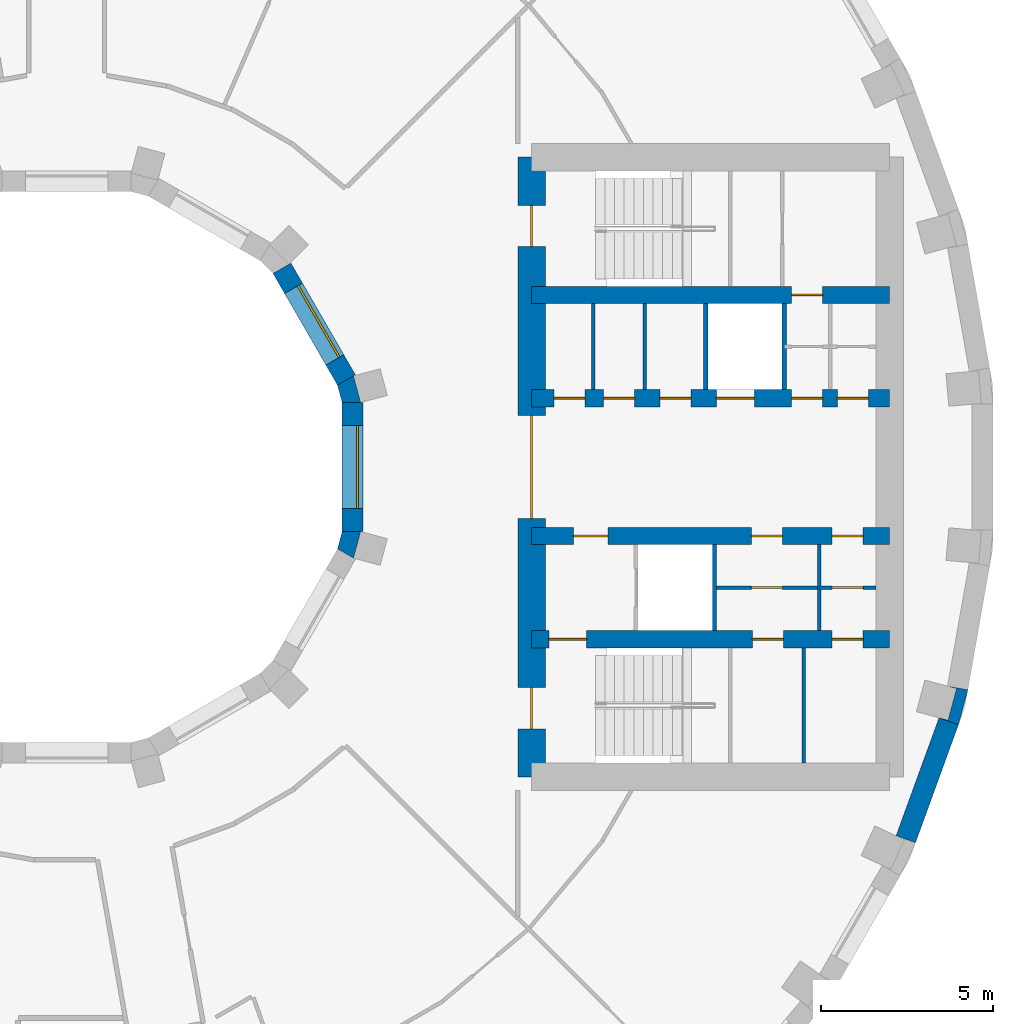
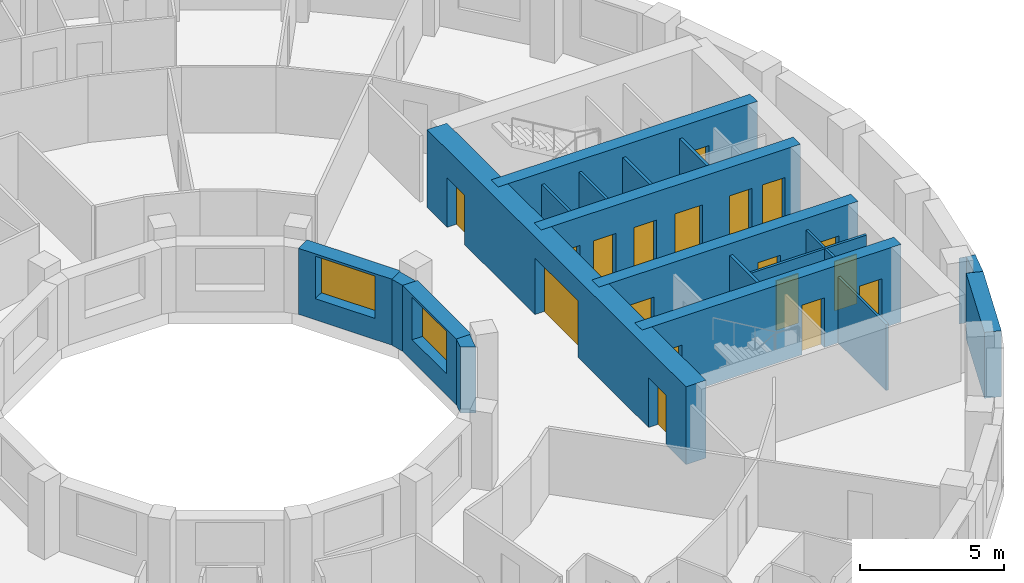
# One storey, part 9 of 14: 20 walls, 18 doors, 2 windows, 20 openings.
"""IFC4 building model written with IfcOpenShell, lengths in metres."""

from ifc_helpers import new_model, si_unit, direction, frame, frame_2d, origin, place, context, subcontext, project, spatial, polyline, rectangle, outline, extrude, material, layer, layer_set, type_object, element, fill, save


model = new_model("IFC4")

# Units and contexts
model_context = context("Model", 3, precision=1e-05, world=origin(), true_north=direction((0.0, 1.0)))
body_context = subcontext(model_context, "Body", "Model", "MODEL_VIEW")
ifc_project = project(units=[si_unit("LENGTHUNIT", "METRE"), si_unit("AREAUNIT", "SQUARE_METRE"), si_unit("VOLUMEUNIT", "CUBIC_METRE"), si_unit("PLANEANGLEUNIT", "RADIAN"), si_unit("MASSUNIT", "GRAM", prefix="KILO")], contexts=[model_context])

# Site, building, storey
site_placement = place(None, origin())
site = spatial("IfcSite", under=ifc_project, at=site_placement, CompositionType="ELEMENT")
building_placement = place(site_placement, origin())
building = spatial("IfcBuilding", under=site, at=building_placement, Name="Saqina Gate Tower", CompositionType="ELEMENT")
storey_placement = place(building_placement, frame((0.0, 0.0, 105.10009765625)))
storey = spatial("IfcBuildingStorey", under=building, at=storey_placement, Name="L29", CompositionType="ELEMENT", Elevation=105.10009765625)

# Walls
ifc_material_1 = material(Name="Brick masonry (buff)", Category="masonry")
wall_type_1 = type_object("IfcWallType", Name="BRICK PIER COPING BUFF", PredefinedType="SOLIDWALL", material=ifc_material_1)
wall_1_placement = place(storey_placement, origin())
element("IfcWall", 1, at=wall_1_placement, inside=storey, type_object=wall_type_1, Name="Pier cap L29 column 35", PredefinedType="SOLIDWALL", context=body_context, shape_type="SweptSolid", body=[
    extrude(outline(polyline([(25.89892578125, -7.485595703125), (26.171875, -6.466796875), (25.5810546875, -6.36279296875), (25.8408203125, -6.43212890625), (25.5947265625, -7.349853515625), (25.335205078125, -7.2802734375), (25.89892578125, -7.485595703125)])), origin(), (0.0, 0.0, 1.0), 2.7998046875),
])
ifc_material_2 = material(Name="Gypsum board on steel studs", Category="steel")
ifc_layer_1 = layer(ifc_material_2, 0.10009765625)
ifc_layer_set_1 = layer_set([ifc_layer_1], Name="CORE PARTITION")
wall_type_2 = type_object("IfcWallType", Name="CORE PARTITION", PredefinedType="PARTITIONING", material=ifc_layer_set_1)
for number, where, z_axis, x_axis, name in (
    (2, (15.298095703125, 2.25, 0.0), (0.0, 0.0, 1.0), (0.0, 1.0, 0.0), "L29-CP-E01"),
    (3, (16.789306640625, 2.25, 0.0), (0.0, 0.0, 1.0), (0.0, 1.0, 0.0), "L29-CP-E02"),
    (4, (21.8583984375, -4.75, 0.0), (0.0, 0.0, 1.0), (0.0, 1.0, 0.0), "L29-CP-E08"),
):
    element("IfcWall", number, at=place(storey_placement, frame(where, z_axis=z_axis, x_axis=x_axis)), inside=storey, type_object=wall_type_2, Name=name, PredefinedType="PARTITIONING", context=body_context, shape_type="SweptSolid", body=[
        extrude(rectangle(XDim=2.5, YDim=0.10009765625, at=frame_2d((1.25, 0.0))), origin(), (0.0, 0.0, 1.0), 2.7998046875),
    ])

# Wall, opening, door
wall_2_placement = place(storey_placement, frame((18.81005859375, -3.5, 0.0), z_axis=(0.0, 0.0, 1.0), x_axis=(1.0, 0.0, 0.0)))
wall_2 = element("IfcWall", 5, at=wall_2_placement, inside=storey, type_object=wall_type_2, Name="L29-CP-E11", PredefinedType="PARTITIONING", context=body_context, shape_type="SweptSolid", body=[
    extrude(rectangle(XDim=3.04833984375, YDim=0.10009765625, at=frame_2d((1.524169921875, 0.0))), origin(), (0.0, 0.0, 1.0), 2.7998046875),
])
opening_1_placement = place(wall_2_placement, frame((1.07421875, 0.0, 0.0)))
opening_1 = element("IfcOpeningElement", 6, at=opening_1_placement, cuts=wall_2, Name="Opening G08-D103", PredefinedType="OPENING", context=body_context, shape_type="SweptSolid", body=[
    extrude(rectangle(XDim=0.89990234375, YDim=2.10009765625, at=frame_2d((0.449951171875, 1.050048828125))), frame((0.0, 0.06201171875, 0.0), z_axis=(0.0, -1.0, 0.0), x_axis=(1.0, 0.0, 0.0)), (0.0, 0.0, 1.0), 0.1240234375),
])
ifc_material_3 = material(Name="Steel-framed fire door leaf, EI 60", Category="steel")
door_type_1 = type_object("IfcDoorType", Name="SERVICE ROOM DOOR 900", OperationType="SINGLE_SWING_LEFT", PredefinedType="DOOR", material=ifc_material_3)
door_1_placement = place(opening_1_placement, frame((0.89990234375, 0.0, 0.0), z_axis=(0.0, 0.0, 1.0), x_axis=(-1.0, 0.0, 0.0)))
door_1 = element("IfcDoor", 7, at=door_1_placement, inside=storey, type_object=door_type_1, Name="L29-CD-E14", OperationType="SINGLE_SWING_RIGHT", OverallHeight=2.10009765625, OverallWidth=0.89990234375, PredefinedType="DOOR", context=body_context, shape_type="SweptSolid", body=[
    extrude(rectangle(XDim=0.89990234375, YDim=2.10009765625, at=frame_2d((0.449951171875, 1.050048828125))), frame((0.0, 0.02490234375, 0.0), z_axis=(0.0, -1.0, 0.0), x_axis=(1.0, 0.0, 0.0)), (0.0, 0.0, 1.0), 0.050048828125),
])
fill(opening_1, door_1)

wall_3_placement = place(storey_placement, frame((21.8583984375, -3.5, 0.0), z_axis=(0.0, 0.0, 1.0), x_axis=(1.0, 0.0, 0.0)))
wall_3 = element("IfcWall", 8, at=wall_3_placement, inside=storey, type_object=wall_type_2, Name="L29-CP-E12", PredefinedType="PARTITIONING", context=body_context, shape_type="SweptSolid", body=[
    extrude(rectangle(XDim=1.6416015625, YDim=0.10009765625, at=frame_2d((0.82080078125, 0.0))), origin(), (0.0, 0.0, 1.0), 2.7998046875),
])
opening_2_placement = place(wall_3_placement, frame((0.370849609375, 0.0, 0.0)))
opening_2 = element("IfcOpeningElement", 9, at=opening_2_placement, cuts=wall_3, Name="Opening G08-D102", PredefinedType="OPENING", context=body_context, shape_type="SweptSolid", body=[
    extrude(rectangle(XDim=0.89990234375, YDim=2.10009765625, at=frame_2d((0.449951171875, 1.050048828125))), frame((0.0, 0.06201171875, 0.0), z_axis=(0.0, -1.0, 0.0), x_axis=(1.0, 0.0, 0.0)), (0.0, 0.0, 1.0), 0.1240234375),
])
door_2_placement = place(opening_2_placement, frame((0.89990234375, 0.0, 0.0), z_axis=(0.0, 0.0, 1.0), x_axis=(-1.0, 0.0, 0.0)))
door_2 = element("IfcDoor", 10, at=door_2_placement, inside=storey, type_object=door_type_1, Name="L29-CD-E13", OperationType="SINGLE_SWING_LEFT", OverallHeight=2.10009765625, OverallWidth=0.89990234375, PredefinedType="DOOR", context=body_context, shape_type="SweptSolid", body=[
    extrude(rectangle(XDim=0.89990234375, YDim=2.10009765625, at=frame_2d((0.449951171875, 1.050048828125))), frame((0.0, 0.02490234375, 0.0), z_axis=(0.0, -1.0, 0.0), x_axis=(1.0, 0.0, 0.0)), (0.0, 0.0, 1.0), 0.050048828125),
])
fill(opening_2, door_2)

# Walls
wall_4_placement = place(storey_placement, frame((21.409912109375, -8.60009765625, 0.0), z_axis=(0.0, 0.0, 1.0), x_axis=(0.0, 1.0, 0.0)))
element("IfcWall", 11, at=wall_4_placement, inside=storey, type_object=wall_type_2, Name="L29-CP-E16", PredefinedType="PARTITIONING", context=body_context, shape_type="SweptSolid", body=[
    extrude(rectangle(XDim=3.35009765625, YDim=0.10009765625, at=frame_2d((1.675048828125, 0.0))), origin(), (0.0, 0.0, 1.0), 2.7998046875),
])
ifc_material_4 = material(Name="Glazed ceramic tile", Category="ceramic")
ifc_layer_2 = layer(ifc_material_4, 0.60009765625)
ifc_layer_set_2 = layer_set([ifc_layer_2], Name="FW-TILE")
wall_type_3 = type_object("IfcWallType", Name="FW-TILE", PredefinedType="SOLIDWALL", material=ifc_layer_set_2)
wall_5_placement = place(storey_placement, frame((24.369384765625, -10.810791015625, 0.0), z_axis=(0.0, 0.0, 1.0), x_axis=(0.341990236633, 0.939703505393, 0.0)))
element("IfcWall", 12, at=wall_5_placement, inside=storey, type_object=wall_type_3, Name="Facade wall L29 facet 34", PredefinedType="SOLIDWALL", context=body_context, shape_type="SweptSolid", body=[
    extrude(rectangle(XDim=3.64794921875, YDim=0.60009765625, at=frame_2d((1.823974609375, 0.0))), origin(), (0.0, 0.0, 1.0), 2.7998046875),
])

# Wall, opening, window
ifc_material_5 = material(Name="Glazed ceramic tile", Category="ceramic")
ifc_layer_3 = layer(ifc_material_5, 0.60009765625)
ifc_layer_set_3 = layer_set([ifc_layer_3], Name="IW-TILE")
wall_type_4 = type_object("IfcWallType", Name="IW-TILE", PredefinedType="SOLIDWALL", material=ifc_layer_set_3)
wall_6_placement = place(storey_placement, frame((8.124755859375, 2.52734375, 0.0), z_axis=(0.0, 0.0, 1.0), x_axis=(-0.499964958637, 0.86604563398, 0.0)))
wall_6 = element("IfcWall", 13, at=wall_6_placement, inside=storey, type_object=wall_type_4, Name="Well wall L29 facet 1", PredefinedType="SOLIDWALL", context=body_context, shape_type="SweptSolid", body=[
    extrude(rectangle(XDim=3.747314453125, YDim=0.60009765625, at=frame_2d((1.87353515625, 0.0))), origin(), (0.0, 0.0, 1.0), 2.7998046875),
])
opening_3_placement = place(wall_6_placement, frame((0.673583984375, 0.0, 0.89990234375)))
opening_3 = element("IfcOpeningElement", 14, at=opening_3_placement, cuts=wall_6, Name="Opening G08-W23", PredefinedType="OPENING", context=body_context, shape_type="SweptSolid", body=[
    extrude(rectangle(XDim=2.39990234375, YDim=1.800048828125, at=frame_2d((1.199951171875, 0.89990234375))), frame((0.0, 0.31201171875, 0.0), z_axis=(0.0, -1.0, 0.0), x_axis=(1.0, 0.0, 0.0)), (0.0, 0.0, 1.0), 0.6240234375),
])
ifc_material_6 = material(Name="Aluminium glazing", Category="aluminium")
window_type = type_object("IfcWindowType", Name="WN-W", PartitioningType="SINGLE_PANEL", PredefinedType="WINDOW", material=ifc_material_6)
window_1_placement = place(opening_3_placement, origin())
window_1 = element("IfcWindow", 15, at=window_1_placement, inside=storey, type_object=window_type, Name="Well window L29 facet 1", OverallHeight=1.800048828125, OverallWidth=2.39990234375, PartitioningType="SINGLE_PANEL", PredefinedType="WINDOW", context=body_context, shape_type="SweptSolid", body=[
    extrude(rectangle(XDim=2.39990234375, YDim=1.800048828125, at=frame_2d((1.199951171875, 0.89990234375))), frame((0.0, -0.119873046875, 0.0), z_axis=(0.0, -1.0, 0.0), x_axis=(1.0, 0.0, 0.0)), (0.0, 0.0, 1.0), 0.06005859375),
])
fill(opening_3, window_1)

wall_7_placement = place(storey_placement, frame((8.300048828125, -1.873779296875, 0.0), z_axis=(0.0, 0.0, 1.0), x_axis=(0.0, 1.0, 0.0)))
wall_7 = element("IfcWall", 16, at=wall_7_placement, inside=storey, type_object=wall_type_4, Name="Well wall L29 facet 12", PredefinedType="SOLIDWALL", context=body_context, shape_type="SweptSolid", body=[
    extrude(rectangle(XDim=3.74755859375, YDim=0.60009765625, at=frame_2d((1.873779296875, 0.0))), origin(), (0.0, 0.0, 1.0), 2.7998046875),
])
opening_4_placement = place(wall_7_placement, frame((0.673583984375, 0.0, 0.89990234375)))
opening_4 = element("IfcOpeningElement", 17, at=opening_4_placement, cuts=wall_7, Name="Opening G08-W34", PredefinedType="OPENING", context=body_context, shape_type="SweptSolid", body=[
    extrude(rectangle(XDim=2.39990234375, YDim=1.800048828125, at=frame_2d((1.199951171875, 0.89990234375))), frame((0.0, 0.31201171875, 0.0), z_axis=(0.0, -1.0, 0.0), x_axis=(1.0, 0.0, 0.0)), (0.0, 0.0, 1.0), 0.6240234375),
])
window_2_placement = place(opening_4_placement, origin())
window_2 = element("IfcWindow", 18, at=window_2_placement, inside=storey, type_object=window_type, Name="Well window L29 facet 12", OverallHeight=1.800048828125, OverallWidth=2.39990234375, PartitioningType="SINGLE_PANEL", PredefinedType="WINDOW", context=body_context, shape_type="SweptSolid", body=[
    extrude(rectangle(XDim=2.39990234375, YDim=1.800048828125, at=frame_2d((1.199951171875, 0.89990234375))), frame((0.0, -0.119873046875, 0.0), z_axis=(0.0, -1.0, 0.0), x_axis=(1.0, 0.0, 0.0)), (0.0, 0.0, 1.0), 0.06005859375),
])
fill(opening_4, window_2)

# Walls
ifc_material_7 = material(Name="Autoclaved aerated concrete block", Category="concrete")
ifc_layer_4 = layer(ifc_material_7, 0.1201171875)
ifc_layer_set_4 = layer_set([ifc_layer_4], Name="SHAFT PARTITION")
wall_type_5 = type_object("IfcWallType", Name="SHAFT PARTITION", PredefinedType="PARTITIONING", material=ifc_layer_set_4)
for number, where, z_axis, x_axis, name in (
    (19, (18.56005859375, 2.25, 0.0), (0.0, 0.0, 1.0), (0.0, 1.0, 0.0), "L29-CP-E03"),
    (20, (20.840087890625, 2.25, 0.0), (0.0, 0.0, 1.0), (0.0, 1.0, 0.0), "L29-CP-E04"),
    (21, (18.81005859375, -4.75, 0.0), (0.0, 0.0, 1.0), (0.0, 1.0, 0.0), "L29-CP-E07"),
):
    element("IfcWall", number, at=place(storey_placement, frame(where, z_axis=z_axis, x_axis=x_axis)), inside=storey, type_object=wall_type_5, Name=name, PredefinedType="PARTITIONING", context=body_context, shape_type="SweptSolid", body=[
        extrude(rectangle(XDim=2.5, YDim=0.1201171875, at=frame_2d((1.25, 0.0))), origin(), (0.0, 0.0, 1.0), 2.7998046875),
    ])

# Wall, opening, door
ifc_material_8 = material(Name="Concrete C70/85", Category="concrete")
ifc_layer_5 = layer(ifc_material_8, 0.5)
ifc_layer_set_5 = layer_set([ifc_layer_5], Name="Concrete C70/85")
wall_type_6 = type_object("IfcWallType", Name="STR-CORE WALL-B-I", PredefinedType="SHEAR", material=ifc_layer_set_5)
wall_8_placement = place(storey_placement, frame((13.5, 5.0, 0.0), z_axis=(0.0, 0.0, 1.0), x_axis=(1.0, 0.0, 0.0)))
wall_8 = element("IfcWall", 22, at=wall_8_placement, inside=storey, type_object=wall_type_6, Name="CORE WALL L29 E-X1", PredefinedType="SHEAR", context=body_context, shape_type="SweptSolid", body=[
    extrude(rectangle(XDim=10.39990234375, YDim=0.5, at=frame_2d((5.199951171875, 0.0))), origin(), (0.0, 0.0, 1.0), 3.2998046875),
])
opening_5_placement = place(wall_8_placement, frame((7.554931640625, 0.0, 0.0)))
opening_5 = element("IfcOpeningElement", 23, at=opening_5_placement, cuts=wall_8, Name="Opening G08-D101", PredefinedType="OPENING", context=body_context, shape_type="SweptSolid", body=[
    extrude(rectangle(XDim=0.89990234375, YDim=2.10009765625, at=frame_2d((0.449951171875, 1.050048828125))), frame((0.0, 0.261962890625, 0.0), z_axis=(0.0, -1.0, 0.0), x_axis=(1.0, 0.0, 0.0)), (0.0, 0.0, 1.0), 0.52392578125),
])
door_3_placement = place(opening_5_placement, origin())
door_3 = element("IfcDoor", 24, at=door_3_placement, inside=storey, type_object=door_type_1, Name="L29-CD-E12", OperationType="SINGLE_SWING_LEFT", OverallHeight=2.10009765625, OverallWidth=0.89990234375, PredefinedType="DOOR", context=body_context, shape_type="SweptSolid", body=[
    extrude(rectangle(XDim=0.89990234375, YDim=2.10009765625, at=frame_2d((0.449951171875, 1.050048828125))), frame((0.0, 0.02490234375, 0.0), z_axis=(0.0, -1.0, 0.0), x_axis=(1.0, 0.0, 0.0)), (0.0, 0.0, 1.0), 0.050048828125),
])
fill(opening_5, door_3)

# Wall, openings, doors
wall_9_placement = place(storey_placement, frame((13.5, -5.0, 0.0), z_axis=(0.0, 0.0, 1.0), x_axis=(1.0, 0.0, 0.0)))
wall_9 = element("IfcWall", 25, at=wall_9_placement, inside=storey, type_object=wall_type_6, Name="CORE WALL L29 E-X2", PredefinedType="SHEAR", context=body_context, shape_type="SweptSolid", body=[
    extrude(rectangle(XDim=10.39990234375, YDim=0.5, at=frame_2d((5.199951171875, 0.0))), origin(), (0.0, 0.0, 1.0), 3.2998046875),
])
opening_6_placement = place(wall_9_placement, frame((6.4150390625, 0.0, 0.0)))
opening_6 = element("IfcOpeningElement", 26, at=opening_6_placement, cuts=wall_9, Name="Opening G08-D104", PredefinedType="OPENING", context=body_context, shape_type="SweptSolid", body=[
    extrude(rectangle(XDim=0.89990234375, YDim=2.10009765625, at=frame_2d((0.449951171875, 1.050048828125))), frame((0.0, 0.261962890625, 0.0), z_axis=(0.0, -1.0, 0.0), x_axis=(1.0, 0.0, 0.0)), (0.0, 0.0, 1.0), 0.52392578125),
])
opening_7_placement = place(wall_9_placement, frame((8.729248046875, 0.0, 0.0)))
opening_7 = element("IfcOpeningElement", 27, at=opening_7_placement, cuts=wall_9, Name="Opening G08-D105", PredefinedType="OPENING", context=body_context, shape_type="SweptSolid", body=[
    extrude(rectangle(XDim=0.89990234375, YDim=2.10009765625, at=frame_2d((0.449951171875, 1.050048828125))), frame((0.0, 0.261962890625, 0.0), z_axis=(0.0, -1.0, 0.0), x_axis=(1.0, 0.0, 0.0)), (0.0, 0.0, 1.0), 0.52392578125),
])
opening_8_placement = place(wall_9_placement, frame((0.5, 0.0, 0.0)))
opening_8 = element("IfcOpeningElement", 28, at=opening_8_placement, cuts=wall_9, Name="Opening G08-D106", PredefinedType="OPENING", context=body_context, shape_type="SweptSolid", body=[
    extrude(rectangle(XDim=1.10009765625, YDim=2.10009765625, at=frame_2d((0.550048828125, 1.050048828125))), frame((0.0, 0.261962890625, 0.0), z_axis=(0.0, -1.0, 0.0), x_axis=(1.0, 0.0, 0.0)), (0.0, 0.0, 1.0), 0.52392578125),
])
ifc_material_9 = material(Name="Steel", Category="steel")
door_type_2 = type_object("IfcDoorType", Name="FIRE LOBBY DOOR EI 60 WIDE", OperationType="SINGLE_SWING_LEFT", PredefinedType="DOOR", material=ifc_material_9)
door_4_placement = place(opening_8_placement, frame((1.10009765625, 0.0, 0.0), z_axis=(0.0, 0.0, 1.0), x_axis=(-1.0, 0.0, 0.0)))
door_4 = element("IfcDoor", 29, at=door_4_placement, inside=storey, type_object=door_type_2, Name="L29-CD-E17", OperationType="SINGLE_SWING_RIGHT", OverallHeight=2.10009765625, OverallWidth=1.10009765625, PredefinedType="DOOR", context=body_context, shape_type="SweptSolid", body=[
    extrude(rectangle(XDim=1.10009765625, YDim=2.10009765625, at=frame_2d((0.550048828125, 1.050048828125))), frame((0.0, 0.02490234375, 0.0), z_axis=(0.0, -1.0, 0.0), x_axis=(1.0, 0.0, 0.0)), (0.0, 0.0, 1.0), 0.050048828125),
])
fill(opening_8, door_4)
door_5_placement = place(opening_6_placement, frame((0.89990234375, 0.0, 0.0), z_axis=(0.0, 0.0, 1.0), x_axis=(-1.0, 0.0, 0.0)))
door_5 = element("IfcDoor", 30, at=door_5_placement, inside=storey, type_object=door_type_1, Name="L29-CD-E15", OperationType="SINGLE_SWING_LEFT", OverallHeight=2.10009765625, OverallWidth=0.89990234375, PredefinedType="DOOR", context=body_context, shape_type="SweptSolid", body=[
    extrude(rectangle(XDim=0.89990234375, YDim=2.10009765625, at=frame_2d((0.449951171875, 1.050048828125))), frame((0.0, 0.02490234375, 0.0), z_axis=(0.0, -1.0, 0.0), x_axis=(1.0, 0.0, 0.0)), (0.0, 0.0, 1.0), 0.050048828125),
])
fill(opening_6, door_5)
door_6_placement = place(opening_7_placement, frame((0.89990234375, 0.0, 0.0), z_axis=(0.0, 0.0, 1.0), x_axis=(-1.0, 0.0, 0.0)))
door_6 = element("IfcDoor", 31, at=door_6_placement, inside=storey, type_object=door_type_1, Name="L29-CD-E16", OperationType="SINGLE_SWING_LEFT", OverallHeight=2.10009765625, OverallWidth=0.89990234375, PredefinedType="DOOR", context=body_context, shape_type="SweptSolid", body=[
    extrude(rectangle(XDim=0.89990234375, YDim=2.10009765625, at=frame_2d((0.449951171875, 1.050048828125))), frame((0.0, 0.02490234375, 0.0), z_axis=(0.0, -1.0, 0.0), x_axis=(1.0, 0.0, 0.0)), (0.0, 0.0, 1.0), 0.050048828125),
])
fill(opening_7, door_6)

wall_10_placement = place(storey_placement, frame((13.5, 2.0, 0.0), z_axis=(0.0, 0.0, 1.0), x_axis=(1.0, 0.0, 0.0)))
wall_10 = element("IfcWall", 32, at=wall_10_placement, inside=storey, type_object=wall_type_6, Name="CORE WALL L29 E-L1", PredefinedType="SHEAR", context=body_context, shape_type="SweptSolid", body=[
    extrude(rectangle(XDim=10.39990234375, YDim=0.5, at=frame_2d((5.199951171875, 0.0))), origin(), (0.0, 0.0, 1.0), 3.2998046875),
])
opening_9_placement = place(wall_10_placement, frame((5.3701171875, 0.0, 0.0)))
opening_9 = element("IfcOpeningElement", 33, at=opening_9_placement, cuts=wall_10, Name="Opening G08-LD1", PredefinedType="OPENING", context=body_context, shape_type="SweptSolid", body=[
    extrude(rectangle(XDim=1.10009765625, YDim=2.10009765625, at=frame_2d((0.550048828125, 1.050048828125))), frame((0.0, 0.261962890625, 0.0), z_axis=(0.0, -1.0, 0.0), x_axis=(1.0, 0.0, 0.0)), (0.0, 0.0, 1.0), 0.52392578125),
])
opening_10_placement = place(wall_10_placement, frame((0.64892578125, 0.0, 0.0)))
opening_10 = element("IfcOpeningElement", 34, at=opening_10_placement, cuts=wall_10, Name="Opening G08-D90", PredefinedType="OPENING", context=body_context, shape_type="SweptSolid", body=[
    extrude(rectangle(XDim=0.89990234375, YDim=2.10009765625, at=frame_2d((0.449951171875, 1.050048828125))), frame((0.0, 0.261962890625, 0.0), z_axis=(0.0, -1.0, 0.0), x_axis=(1.0, 0.0, 0.0)), (0.0, 0.0, 1.0), 0.52392578125),
])
opening_11_placement = place(wall_10_placement, frame((2.093505859375, 0.0, 0.0)))
opening_11 = element("IfcOpeningElement", 35, at=opening_11_placement, cuts=wall_10, Name="Opening G08-D91", PredefinedType="OPENING", context=body_context, shape_type="SweptSolid", body=[
    extrude(rectangle(XDim=0.89990234375, YDim=2.10009765625, at=frame_2d((0.449951171875, 1.050048828125))), frame((0.0, 0.261962890625, 0.0), z_axis=(0.0, -1.0, 0.0), x_axis=(1.0, 0.0, 0.0)), (0.0, 0.0, 1.0), 0.52392578125),
])
opening_12_placement = place(wall_10_placement, frame((3.724609375, 0.0, 0.0)))
opening_12 = element("IfcOpeningElement", 36, at=opening_12_placement, cuts=wall_10, Name="Opening G08-D92", PredefinedType="OPENING", context=body_context, shape_type="SweptSolid", body=[
    extrude(rectangle(XDim=0.89990234375, YDim=2.10009765625, at=frame_2d((0.449951171875, 1.050048828125))), frame((0.0, 0.261962890625, 0.0), z_axis=(0.0, -1.0, 0.0), x_axis=(1.0, 0.0, 0.0)), (0.0, 0.0, 1.0), 0.52392578125),
])
opening_13_placement = place(wall_10_placement, frame((7.554931640625, 0.0, 0.0)))
opening_13 = element("IfcOpeningElement", 37, at=opening_13_placement, cuts=wall_10, Name="Opening G08-D93", PredefinedType="OPENING", context=body_context, shape_type="SweptSolid", body=[
    extrude(rectangle(XDim=0.89990234375, YDim=2.10009765625, at=frame_2d((0.449951171875, 1.050048828125))), frame((0.0, 0.261962890625, 0.0), z_axis=(0.0, -1.0, 0.0), x_axis=(1.0, 0.0, 0.0)), (0.0, 0.0, 1.0), 0.52392578125),
])
opening_14_placement = place(wall_10_placement, frame((8.885009765625, 0.0, 0.0)))
opening_14 = element("IfcOpeningElement", 38, at=opening_14_placement, cuts=wall_10, Name="Opening G08-D94", PredefinedType="OPENING", context=body_context, shape_type="SweptSolid", body=[
    extrude(rectangle(XDim=0.89990234375, YDim=2.10009765625, at=frame_2d((0.449951171875, 1.050048828125))), frame((0.0, 0.261962890625, 0.0), z_axis=(0.0, -1.0, 0.0), x_axis=(1.0, 0.0, 0.0)), (0.0, 0.0, 1.0), 0.52392578125),
])
ifc_material_10 = material(Name="Stainless steel", Category="steel")
door_type_3 = type_object("IfcDoorType", Name="LANDING DOOR", OperationType="DOUBLE_DOOR_SLIDING", PredefinedType="DOOR", material=ifc_material_10)
door_7_placement = place(opening_9_placement, origin())
door_7 = element("IfcDoor", 39, at=door_7_placement, inside=storey, type_object=door_type_3, Name="LANDING DOOR MR1", OperationType="DOUBLE_DOOR_SLIDING", OverallHeight=2.10009765625, OverallWidth=1.10009765625, PredefinedType="DOOR", context=body_context, shape_type="SweptSolid", body=[
    extrude(rectangle(XDim=1.10009765625, YDim=2.10009765625, at=frame_2d((0.550048828125, 1.050048828125))), frame((0.0, 0.02490234375, 0.0), z_axis=(0.0, -1.0, 0.0), x_axis=(1.0, 0.0, 0.0)), (0.0, 0.0, 1.0), 0.050048828125),
])
fill(opening_9, door_7)
door_8_placement = place(opening_10_placement, origin())
door_8 = element("IfcDoor", 40, at=door_8_placement, inside=storey, type_object=door_type_1, Name="L29-CD-E01", OperationType="SINGLE_SWING_LEFT", OverallHeight=2.10009765625, OverallWidth=0.89990234375, PredefinedType="DOOR", context=body_context, shape_type="SweptSolid", body=[
    extrude(rectangle(XDim=0.89990234375, YDim=2.10009765625, at=frame_2d((0.449951171875, 1.050048828125))), frame((0.0, 0.02490234375, 0.0), z_axis=(0.0, -1.0, 0.0), x_axis=(1.0, 0.0, 0.0)), (0.0, 0.0, 1.0), 0.050048828125),
])
fill(opening_10, door_8)
door_9_placement = place(opening_11_placement, origin())
door_9 = element("IfcDoor", 41, at=door_9_placement, inside=storey, type_object=door_type_1, Name="L29-CD-E02", OperationType="SINGLE_SWING_LEFT", OverallHeight=2.10009765625, OverallWidth=0.89990234375, PredefinedType="DOOR", context=body_context, shape_type="SweptSolid", body=[
    extrude(rectangle(XDim=0.89990234375, YDim=2.10009765625, at=frame_2d((0.449951171875, 1.050048828125))), frame((0.0, 0.02490234375, 0.0), z_axis=(0.0, -1.0, 0.0), x_axis=(1.0, 0.0, 0.0)), (0.0, 0.0, 1.0), 0.050048828125),
])
fill(opening_11, door_9)
door_10_placement = place(opening_12_placement, origin())
door_10 = element("IfcDoor", 42, at=door_10_placement, inside=storey, type_object=door_type_1, Name="L29-CD-E03", OperationType="SINGLE_SWING_RIGHT", OverallHeight=2.10009765625, OverallWidth=0.89990234375, PredefinedType="DOOR", context=body_context, shape_type="SweptSolid", body=[
    extrude(rectangle(XDim=0.89990234375, YDim=2.10009765625, at=frame_2d((0.449951171875, 1.050048828125))), frame((0.0, 0.02490234375, 0.0), z_axis=(0.0, -1.0, 0.0), x_axis=(1.0, 0.0, 0.0)), (0.0, 0.0, 1.0), 0.050048828125),
])
fill(opening_12, door_10)
door_11_placement = place(opening_13_placement, origin())
door_11 = element("IfcDoor", 43, at=door_11_placement, inside=storey, type_object=door_type_1, Name="L29-CD-E04", OperationType="SINGLE_SWING_LEFT", OverallHeight=2.10009765625, OverallWidth=0.89990234375, PredefinedType="DOOR", context=body_context, shape_type="SweptSolid", body=[
    extrude(rectangle(XDim=0.89990234375, YDim=2.10009765625, at=frame_2d((0.449951171875, 1.050048828125))), frame((0.0, 0.02490234375, 0.0), z_axis=(0.0, -1.0, 0.0), x_axis=(1.0, 0.0, 0.0)), (0.0, 0.0, 1.0), 0.050048828125),
])
fill(opening_13, door_11)
door_12_placement = place(opening_14_placement, origin())
door_12 = element("IfcDoor", 44, at=door_12_placement, inside=storey, type_object=door_type_1, Name="L29-CD-E05", OperationType="SINGLE_SWING_RIGHT", OverallHeight=2.10009765625, OverallWidth=0.89990234375, PredefinedType="DOOR", context=body_context, shape_type="SweptSolid", body=[
    extrude(rectangle(XDim=0.89990234375, YDim=2.10009765625, at=frame_2d((0.449951171875, 1.050048828125))), frame((0.0, 0.02490234375, 0.0), z_axis=(0.0, -1.0, 0.0), x_axis=(1.0, 0.0, 0.0)), (0.0, 0.0, 1.0), 0.050048828125),
])
fill(opening_14, door_12)

wall_11_placement = place(storey_placement, frame((13.5, -2.0, 0.0), z_axis=(0.0, 0.0, 1.0), x_axis=(1.0, 0.0, 0.0)))
wall_11 = element("IfcWall", 45, at=wall_11_placement, inside=storey, type_object=wall_type_6, Name="CORE WALL L29 E-L2", PredefinedType="SHEAR", context=body_context, shape_type="SweptSolid", body=[
    extrude(rectangle(XDim=10.39990234375, YDim=0.5, at=frame_2d((5.199951171875, 0.0))), origin(), (0.0, 0.0, 1.0), 3.2998046875),
])
opening_15_placement = place(wall_11_placement, frame((1.215087890625, 0.0, 0.0)))
opening_15 = element("IfcOpeningElement", 46, at=opening_15_placement, cuts=wall_11, Name="Opening G08-D95", PredefinedType="OPENING", context=body_context, shape_type="SweptSolid", body=[
    extrude(rectangle(XDim=1.0, YDim=2.10009765625, at=frame_2d((0.5, 1.050048828125))), frame((0.0, 0.261962890625, 0.0), z_axis=(0.0, -1.0, 0.0), x_axis=(1.0, 0.0, 0.0)), (0.0, 0.0, 1.0), 0.52392578125),
])
opening_16_placement = place(wall_11_placement, frame((6.38427734375, 0.0, 0.0)))
opening_16 = element("IfcOpeningElement", 47, at=opening_16_placement, cuts=wall_11, Name="Opening G08-D96", PredefinedType="OPENING", context=body_context, shape_type="SweptSolid", body=[
    extrude(rectangle(XDim=0.89990234375, YDim=2.10009765625, at=frame_2d((0.449951171875, 1.050048828125))), frame((0.0, 0.261962890625, 0.0), z_axis=(0.0, -1.0, 0.0), x_axis=(1.0, 0.0, 0.0)), (0.0, 0.0, 1.0), 0.52392578125),
])
opening_17_placement = place(wall_11_placement, frame((8.729248046875, 0.0, 0.0)))
opening_17 = element("IfcOpeningElement", 48, at=opening_17_placement, cuts=wall_11, Name="Opening G08-D97", PredefinedType="OPENING", context=body_context, shape_type="SweptSolid", body=[
    extrude(rectangle(XDim=0.89990234375, YDim=2.10009765625, at=frame_2d((0.449951171875, 1.050048828125))), frame((0.0, 0.261962890625, 0.0), z_axis=(0.0, -1.0, 0.0), x_axis=(1.0, 0.0, 0.0)), (0.0, 0.0, 1.0), 0.52392578125),
])
ifc_material_11 = material(Name="Steel", Category="steel")
door_type_4 = type_object("IfcDoorType", Name="FIRE LOBBY DOOR EI 60", OperationType="SINGLE_SWING_LEFT", PredefinedType="DOOR", material=ifc_material_11)
door_13_placement = place(opening_15_placement, origin())
door_13 = element("IfcDoor", 49, at=door_13_placement, inside=storey, type_object=door_type_4, Name="L29-CD-E06", OperationType="SINGLE_SWING_LEFT", OverallHeight=2.10009765625, OverallWidth=1.0, PredefinedType="DOOR", context=body_context, shape_type="SweptSolid", body=[
    extrude(rectangle(XDim=1.0, YDim=2.10009765625, at=frame_2d((0.5, 1.050048828125))), frame((0.0, 0.02490234375, 0.0), z_axis=(0.0, -1.0, 0.0), x_axis=(1.0, 0.0, 0.0)), (0.0, 0.0, 1.0), 0.050048828125),
])
fill(opening_15, door_13)
door_14_placement = place(opening_16_placement, frame((0.89990234375, 0.0, 0.0), z_axis=(0.0, 0.0, 1.0), x_axis=(-1.0, 0.0, 0.0)))
door_14 = element("IfcDoor", 50, at=door_14_placement, inside=storey, type_object=door_type_1, Name="L29-CD-E07", OperationType="SINGLE_SWING_LEFT", OverallHeight=2.10009765625, OverallWidth=0.89990234375, PredefinedType="DOOR", context=body_context, shape_type="SweptSolid", body=[
    extrude(rectangle(XDim=0.89990234375, YDim=2.10009765625, at=frame_2d((0.449951171875, 1.050048828125))), frame((0.0, 0.02490234375, 0.0), z_axis=(0.0, -1.0, 0.0), x_axis=(1.0, 0.0, 0.0)), (0.0, 0.0, 1.0), 0.050048828125),
])
fill(opening_16, door_14)
door_15_placement = place(opening_17_placement, frame((0.89990234375, 0.0, 0.0), z_axis=(0.0, 0.0, 1.0), x_axis=(-1.0, 0.0, 0.0)))
door_15 = element("IfcDoor", 51, at=door_15_placement, inside=storey, type_object=door_type_1, Name="L29-CD-E08", OperationType="SINGLE_SWING_LEFT", OverallHeight=2.10009765625, OverallWidth=0.89990234375, PredefinedType="DOOR", context=body_context, shape_type="SweptSolid", body=[
    extrude(rectangle(XDim=0.89990234375, YDim=2.10009765625, at=frame_2d((0.449951171875, 1.050048828125))), frame((0.0, 0.02490234375, 0.0), z_axis=(0.0, -1.0, 0.0), x_axis=(1.0, 0.0, 0.0)), (0.0, 0.0, 1.0), 0.050048828125),
])
fill(opening_17, door_15)

ifc_material_12 = material(Name="Concrete C70/85", Category="concrete")
ifc_layer_6 = layer(ifc_material_12, 0.800048828125)
ifc_layer_set_6 = layer_set([ifc_layer_6], Name="Concrete C70/85")
wall_type_7 = type_object("IfcWallType", Name="STR-CORE WALL-B-O", PredefinedType="SHEAR", material=ifc_layer_set_6)
wall_12_placement = place(storey_placement, frame((13.5, -9.0, 0.0), z_axis=(0.0, 0.0, 1.0), x_axis=(0.0, 1.0, 0.0)))
wall_12 = element("IfcWall", 52, at=wall_12_placement, inside=storey, type_object=wall_type_7, Name="CORE WALL L29 E-W1", PredefinedType="SHEAR", context=body_context, shape_type="SweptSolid", body=[
    extrude(rectangle(XDim=18.0, YDim=0.800048828125, at=frame_2d((9.0, 0.0))), origin(), (0.0, 0.0, 1.0), 3.2998046875),
])
opening_18_placement = place(wall_12_placement, frame((15.39990234375, 0.0, 0.0)))
opening_18 = element("IfcOpeningElement", 53, at=opening_18_placement, cuts=wall_12, Name="Opening G08-D107", PredefinedType="OPENING", context=body_context, shape_type="SweptSolid", body=[
    extrude(rectangle(XDim=1.199951171875, YDim=2.10009765625, at=frame_2d((0.60009765625, 1.050048828125))), frame((0.0, 0.412109375, 0.0), z_axis=(0.0, -1.0, 0.0), x_axis=(1.0, 0.0, 0.0)), (0.0, 0.0, 1.0), 0.823974609375),
])
opening_19_placement = place(wall_12_placement, frame((1.39990234375, 0.0, 0.0)))
opening_19 = element("IfcOpeningElement", 54, at=opening_19_placement, cuts=wall_12, Name="Opening G08-D108", PredefinedType="OPENING", context=body_context, shape_type="SweptSolid", body=[
    extrude(rectangle(XDim=1.199951171875, YDim=2.10009765625, at=frame_2d((0.60009765625, 1.050048828125))), frame((0.0, 0.412109375, 0.0), z_axis=(0.0, -1.0, 0.0), x_axis=(1.0, 0.0, 0.0)), (0.0, 0.0, 1.0), 0.823974609375),
])
opening_20_placement = place(wall_12_placement, frame((7.5, 0.0, 0.0)))
opening_20 = element("IfcOpeningElement", 55, at=opening_20_placement, cuts=wall_12, Name="Opening G08-D109", PredefinedType="OPENING", context=body_context, shape_type="SweptSolid", body=[
    extrude(rectangle(XDim=3.0, YDim=2.39990234375, at=frame_2d((1.5, 1.199951171875))), frame((0.0, 0.412109375, 0.0), z_axis=(0.0, -1.0, 0.0), x_axis=(1.0, 0.0, 0.0)), (0.0, 0.0, 1.0), 0.823974609375),
])
ifc_material_13 = material(Name="Steel", Category="steel")
door_type_5 = type_object("IfcDoorType", Name="FIRE DOOR EI 60", OperationType="SINGLE_SWING_LEFT", PredefinedType="DOOR", material=ifc_material_13)
door_16_placement = place(opening_18_placement, frame((1.199951171875, 0.0, 0.0), z_axis=(0.0, 0.0, 1.0), x_axis=(-1.0, 0.0, 0.0)))
door_16 = element("IfcDoor", 56, at=door_16_placement, inside=storey, type_object=door_type_5, Name="L29-CD-E18", OperationType="SINGLE_SWING_LEFT", OverallHeight=2.10009765625, OverallWidth=1.199951171875, PredefinedType="DOOR", context=body_context, shape_type="SweptSolid", body=[
    extrude(rectangle(XDim=1.199951171875, YDim=2.10009765625, at=frame_2d((0.60009765625, 1.050048828125))), frame((0.0, 0.02490234375, 0.0), z_axis=(0.0, -1.0, 0.0), x_axis=(1.0, 0.0, 0.0)), (0.0, 0.0, 1.0), 0.050048828125),
])
fill(opening_18, door_16)
door_17_placement = place(opening_19_placement, frame((1.199951171875, 0.0, 0.0), z_axis=(0.0, 0.0, 1.0), x_axis=(-1.0, 0.0, 0.0)))
door_17 = element("IfcDoor", 57, at=door_17_placement, inside=storey, type_object=door_type_5, Name="L29-CD-E19", OperationType="SINGLE_SWING_RIGHT", OverallHeight=2.10009765625, OverallWidth=1.199951171875, PredefinedType="DOOR", context=body_context, shape_type="SweptSolid", body=[
    extrude(rectangle(XDim=1.199951171875, YDim=2.10009765625, at=frame_2d((0.60009765625, 1.050048828125))), frame((0.0, 0.02490234375, 0.0), z_axis=(0.0, -1.0, 0.0), x_axis=(1.0, 0.0, 0.0)), (0.0, 0.0, 1.0), 0.050048828125),
])
fill(opening_19, door_17)
ifc_material_14 = material(Name="Steel and fire-resisting glass", Category="steel")
door_type_6 = type_object("IfcDoorType", Name="LOBBY SCREEN DOOR", OperationType="DOUBLE_DOOR_SLIDING", PredefinedType="DOOR", material=ifc_material_14)
door_18_placement = place(opening_20_placement, origin())
door_18 = element("IfcDoor", 58, at=door_18_placement, inside=storey, type_object=door_type_6, Name="L29-CD-E20", OperationType="DOUBLE_DOOR_SLIDING", OverallHeight=2.39990234375, OverallWidth=3.0, PredefinedType="DOOR", context=body_context, shape_type="SweptSolid", body=[
    extrude(rectangle(XDim=3.0, YDim=2.39990234375, at=frame_2d((1.5, 1.199951171875))), frame((0.0, 0.02490234375, 0.0), z_axis=(0.0, -1.0, 0.0), x_axis=(1.0, 0.0, 0.0)), (0.0, 0.0, 1.0), 0.050048828125),
])
fill(opening_20, door_18)

# Walls
ifc_material_15 = material(Name="Glazed ceramic tile", Category="ceramic")
wall_type_8 = type_object("IfcWallType", Name="TILE PIER COPING", PredefinedType="SOLIDWALL", material=ifc_material_15)
wall_13_placement = place(storey_placement, origin())
element("IfcWall", 59, at=wall_13_placement, inside=storey, type_object=wall_type_8, Name="Well pier cap L29 column 1", PredefinedType="SOLIDWALL", context=body_context, shape_type="SweptSolid", body=[
    extrude(outline(polyline([(8.3310546875, 2.646484375), (7.864990234375, 2.377197265625), (8.0, 1.873779296875), (8.5380859375, 1.873779296875), (8.3310546875, 2.646484375)])), origin(), (0.0, 0.0, 1.0), 2.7998046875),
])
wall_14_placement = place(storey_placement, origin())
element("IfcWall", 60, at=wall_14_placement, inside=storey, type_object=wall_type_8, Name="Well pier cap L29 column 12", PredefinedType="SOLIDWALL", context=body_context, shape_type="SweptSolid", body=[
    extrude(outline(polyline([(8.5380859375, -1.873779296875), (8.0, -1.873779296875), (7.864990234375, -2.377197265625), (8.3310546875, -2.646484375), (8.5380859375, -1.873779296875)])), origin(), (0.0, 0.0, 1.0), 2.7998046875),
])

save(model, "model.ifc")
